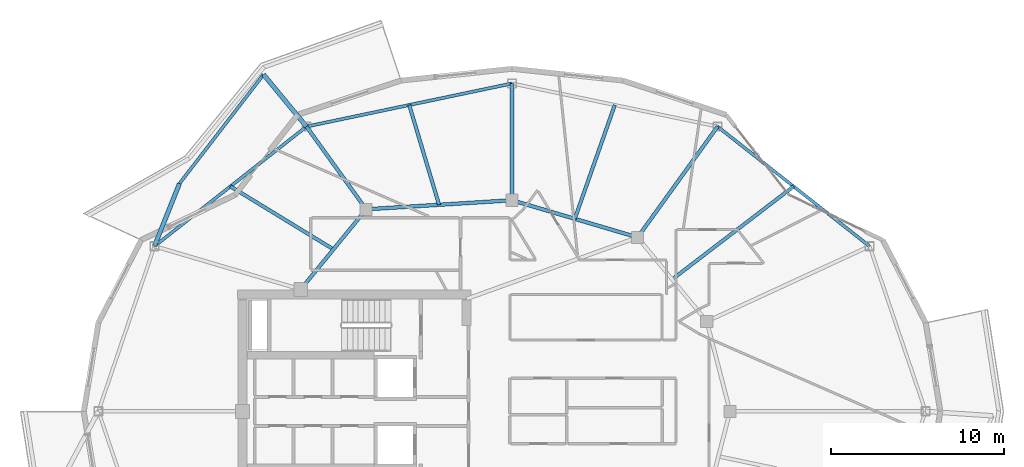
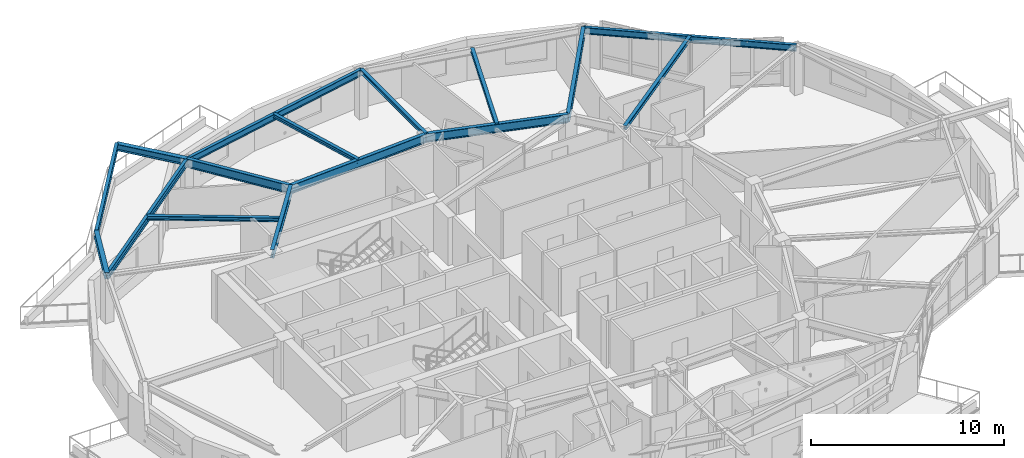
# One storey, part 5 of 21: 16 beams.
"""IFC4 building model written with IfcOpenShell, lengths in metres."""

from ifc_helpers import new_model, si_unit, direction, frame, origin, origin_2d, place, context, subcontext, project, spatial, i_section, extrude, material, material_profile, profile_set, type_object, element, save


model = new_model("IFC4")

# Units and contexts
model_context = context("Model", 3, precision=1e-05, world=origin(), true_north=direction((0.0, 1.0)))
body_context = subcontext(model_context, "Body", "Model", "MODEL_VIEW")
ifc_project = project(units=[si_unit("LENGTHUNIT", "METRE"), si_unit("AREAUNIT", "SQUARE_METRE"), si_unit("VOLUMEUNIT", "CUBIC_METRE"), si_unit("PLANEANGLEUNIT", "RADIAN"), si_unit("MASSUNIT", "GRAM", prefix="KILO")], contexts=[model_context])

# Site, building, storey
site_placement = place(None, origin())
site = spatial("IfcSite", under=ifc_project, at=site_placement, CompositionType="ELEMENT")
building_placement = place(site_placement, origin())
building = spatial("IfcBuilding", under=site, at=building_placement, Name="Kolvaren Gate Tower and Convention Centre", CompositionType="ELEMENT")
storey_placement = place(building_placement, frame((0.0, 0.0, 226.10009765625)))
storey = spatial("IfcBuildingStorey", under=building, at=storey_placement, Name="L60", CompositionType="ELEMENT", Elevation=226.10009765625)

# Beams
ifc_material = material(Name="Structural steel ASTM A992 Grade 345 MPa", Category="steel")
ifc_material_profile_1 = material_profile(ifc_material, i_section(OverallWidth=0.260009765625, OverallDepth=0.419921875, WebThickness=0.013427734375, FlangeThickness=0.0224609375, at=origin_2d()), Name="W410X132")
ifc_profile_set_1 = profile_set([ifc_material_profile_1], Name="Structural steel ASTM A992 Grade 345 MPa")
beam_type_1 = type_object("IfcBeamType", Name="STR-BM-W410X132", PredefinedType="BEAM", material=ifc_profile_set_1)
for number, where, z_axis, x_axis, name in (
    (1, (18.247314453125, 43.4580078125, 2.8203125), (-0.636086782115, 0.771617525474, 0.0), (-0.771617525474, -0.636086782115, 0.0), "Tower L61 Planted Balcony Outrigger Cantilever BC-1A"),
    (2, (9.462646484375, 36.543701171875, 2.8203125), (0.370926499602, 0.92866222702, 0.0), (-0.92866222702, 0.370926499602, 0.0), "Tower L61 Planted Balcony Outrigger Cantilever BC-1B"),
):
    element("IfcBeam", number, at=place(storey_placement, frame(where, z_axis=z_axis, x_axis=x_axis)), inside=storey, type_object=beam_type_1, Name=name, PredefinedType="BEAM", context=body_context, shape_type="SweptSolid", body=[
        extrude(i_section(OverallWidth=0.260009765625, OverallDepth=0.419921875, WebThickness=0.013427734375, FlangeThickness=0.0224609375, at=origin_2d()), origin(), (0.0, 0.0, 1.0), 3.89990234375),
    ])
ifc_material_profile_2 = material_profile(ifc_material, i_section(OverallWidth=0.2119140625, OverallDepth=0.5439453125, WebThickness=0.01318359375, FlangeThickness=0.021240234375, at=origin_2d()), Name="W530X123")
ifc_profile_set_2 = profile_set([ifc_material_profile_2], Name="Structural steel ASTM A992 Grade 345 MPa")
beam_type_2 = type_object("IfcBeamType", Name="STR-BM-W530X123", PredefinedType="BEAM", material=ifc_profile_set_2)
beam_1_placement = place(storey_placement, frame((37.381591796875, 37.054931640625, 2.7578125), z_axis=(-0.958980837827, 0.283470902706, 0.0), x_axis=(-0.283470902706, -0.958980837827, 0.0)))
element("IfcBeam", 3, at=beam_1_placement, inside=storey, type_object=beam_type_2, Name="Tower L60 Primary Ring Girder G-03", PredefinedType="BEAM", context=body_context, shape_type="SweptSolid", body=[
    extrude(i_section(OverallWidth=0.2119140625, OverallDepth=0.5439453125, WebThickness=0.01318359375, FlangeThickness=0.021240234375, at=origin_2d()), origin(), (0.0, 0.0, 1.0), 7.56689453125),
])
beam_2_placement = place(storey_placement, frame((30.125, 39.199951171875, 2.7578125), z_axis=(-0.998078258568, -0.06196603726, 0.0), x_axis=(0.06196603726, -0.998078258568, 0.0)))
element("IfcBeam", 4, at=beam_2_placement, inside=storey, type_object=beam_type_2, Name="Tower L60 Primary Ring Girder G-04", PredefinedType="BEAM", context=body_context, shape_type="SweptSolid", body=[
    extrude(i_section(OverallWidth=0.2119140625, OverallDepth=0.5439453125, WebThickness=0.01318359375, FlangeThickness=0.021240234375, at=origin_2d()), origin(), (0.0, 0.0, 1.0), 8.443115234375),
])
beam_3_placement = place(storey_placement, frame((21.697998046875, 38.6767578125, 2.7578125), z_axis=(-0.633082074904, -0.774084676528, 0.0), x_axis=(0.774084676528, -0.633082074904, 0.0)))
element("IfcBeam", 5, at=beam_3_placement, inside=storey, type_object=beam_type_2, Name="Tower L60 Primary Ring Girder G-05", PredefinedType="BEAM", context=body_context, shape_type="SweptSolid", body=[
    extrude(i_section(OverallWidth=0.2119140625, OverallDepth=0.5439453125, WebThickness=0.01318359375, FlangeThickness=0.021240234375, at=origin_2d()), origin(), (0.0, 0.0, 1.0), 5.97705078125),
])
beam_4_placement = place(storey_placement, frame((37.381591796875, 37.054931640625, 2.7578125), z_axis=(0.585211694794, 0.810880553643, 0.0), x_axis=(-0.810880553643, 0.585211694794, 0.0)))
element("IfcBeam", 6, at=beam_4_placement, inside=storey, type_object=beam_type_2, Name="Tower L60 Radial Floor Girder RB-03", PredefinedType="BEAM", context=body_context, shape_type="SweptSolid", body=[
    extrude(i_section(OverallWidth=0.2119140625, OverallDepth=0.5439453125, WebThickness=0.01318359375, FlangeThickness=0.021240234375, at=origin_2d()), origin(), (0.0, 0.0, 1.0), 7.896484375),
])
beam_5_placement = place(storey_placement, frame((21.697998046875, 38.6767578125, 2.7578125), z_axis=(-0.585218406802, 0.810875709552, 0.0), x_axis=(-0.810875709552, -0.585218406802, 0.0)))
element("IfcBeam", 7, at=beam_5_placement, inside=storey, type_object=beam_type_2, Name="Tower L60 Radial Floor Girder RB-05", PredefinedType="BEAM", context=body_context, shape_type="SweptSolid", body=[
    extrude(i_section(OverallWidth=0.2119140625, OverallDepth=0.5439453125, WebThickness=0.01318359375, FlangeThickness=0.021240234375, at=origin_2d()), origin(), (0.0, 0.0, 1.0), 5.896484375),
])
ifc_material_profile_3 = material_profile(ifc_material, i_section(OverallWidth=0.202880859375, OverallDepth=0.251953125, WebThickness=0.008056640625, FlangeThickness=0.013427734375, at=origin_2d()), Name="W250X58")
ifc_profile_set_3 = profile_set([ifc_material_profile_3], Name="Structural steel ASTM A992 Grade 345 MPa")
beam_type_3 = type_object("IfcBeamType", Name="STR-JS-W250X58", PredefinedType="JOIST", material=ifc_profile_set_3)
beam_6_placement = place(storey_placement, frame((30.125, 39.199951171875, 2.90380859375), z_axis=(0.0, 1.0, 0.0), x_axis=(-1.0, 0.0, 0.0)))
element("IfcBeam", 8, at=beam_6_placement, inside=storey, type_object=beam_type_3, Name="Tower L60 Radial Floor Girder RB-04", PredefinedType="JOIST", context=body_context, shape_type="SweptSolid", body=[
    extrude(i_section(OverallWidth=0.202880859375, OverallDepth=0.251953125, WebThickness=0.008056640625, FlangeThickness=0.013427734375, at=origin_2d()), origin(), (0.0, 0.0, 1.0), 6.75),
])
beam_7_placement = place(storey_placement, frame((39.3818359375, 34.627197265625, 2.90380859375), z_axis=(0.793783340844, 0.608200631205, 0.0), x_axis=(-0.608200631205, 0.793783340844, 0.0)))
element("IfcBeam", 9, at=beam_7_placement, inside=storey, type_object=beam_type_3, Name="Tower L60 Secondary Composite Floor Joist J-02.1", PredefinedType="JOIST", context=body_context, shape_type="SweptSolid", body=[
    extrude(i_section(OverallWidth=0.202880859375, OverallDepth=0.251953125, WebThickness=0.008056640625, FlangeThickness=0.013427734375, at=origin_2d()), origin(), (0.0, 0.0, 1.0), 8.835205078125),
])
beam_8_placement = place(storey_placement, frame((33.75341796875, 38.12744140625, 2.90380859375), z_axis=(0.331432911821, 0.943478788824, 0.0), x_axis=(-0.943478788824, 0.331432911821, 0.0)))
element("IfcBeam", 10, at=beam_8_placement, inside=storey, type_object=beam_type_3, Name="Tower L60 Secondary Composite Floor Joist J-03.1", PredefinedType="JOIST", context=body_context, shape_type="SweptSolid", body=[
    extrude(i_section(OverallWidth=0.202880859375, OverallDepth=0.251953125, WebThickness=0.008056640625, FlangeThickness=0.013427734375, at=origin_2d()), origin(), (0.0, 0.0, 1.0), 6.970703125),
])
beam_9_placement = place(storey_placement, frame((25.91162109375, 38.938232421875, 2.90380859375), z_axis=(-0.286674209033, 0.958028130002, 0.0), x_axis=(-0.958028130002, -0.286674209033, 0.0)))
element("IfcBeam", 11, at=beam_9_placement, inside=storey, type_object=beam_type_3, Name="Tower L60 Secondary Composite Floor Joist J-04.1", PredefinedType="JOIST", context=body_context, shape_type="SweptSolid", body=[
    extrude(i_section(OverallWidth=0.202880859375, OverallDepth=0.251953125, WebThickness=0.008056640625, FlangeThickness=0.013427734375, at=origin_2d()), origin(), (0.0, 0.0, 1.0), 6.0185546875),
])
beam_10_placement = place(storey_placement, frame((19.805908203125, 36.36328125, 2.90380859375), z_axis=(-0.853232509014, 0.52153071392, 0.0), x_axis=(-0.52153071392, -0.853232509014, 0.0)))
element("IfcBeam", 12, at=beam_10_placement, inside=storey, type_object=beam_type_3, Name="Tower L60 Secondary Composite Floor Joist J-05.1", PredefinedType="JOIST", context=body_context, shape_type="SweptSolid", body=[
    extrude(i_section(OverallWidth=0.202880859375, OverallDepth=0.251953125, WebThickness=0.008056640625, FlangeThickness=0.013427734375, at=origin_2d()), origin(), (0.0, 0.0, 1.0), 6.974609375),
])
ifc_material_profile_4 = material_profile(ifc_material, i_section(OverallWidth=0.180908203125, OverallDepth=0.4169921875, WebThickness=0.010986328125, FlangeThickness=0.018310546875, at=origin_2d()), Name="W410X85")
ifc_profile_set_4 = profile_set([ifc_material_profile_4], Name="Structural steel ASTM A992 Grade 345 MPa")
beam_type_4 = type_object("IfcBeamType", Name="STR-SP-W410X85", PredefinedType="SPANDREL", material=ifc_profile_set_4)
beam_11_placement = place(storey_placement, frame((50.787353515625, 36.543701171875, 2.8212890625), z_axis=(-0.78579365551, 0.618488747643, 0.0), x_axis=(-0.618488747643, -0.78579365551, 0.0)))
element("IfcBeam", 13, at=beam_11_placement, inside=storey, type_object=beam_type_4, Name="Tower L60 Perimeter Spandrel Beam SP-02", PredefinedType="SPANDREL", context=body_context, shape_type="SweptSolid", body=[
    extrude(i_section(OverallWidth=0.180908203125, OverallDepth=0.4169921875, WebThickness=0.010986328125, FlangeThickness=0.018310546875, at=origin_2d()), origin(), (0.0, 0.0, 1.0), 11.179443359375),
])
beam_12_placement = place(storey_placement, frame((30.125, 45.949951171875, 2.8212890625), z_axis=(-0.978692765917, -0.205330148645, 0.0), x_axis=(0.205330148645, -0.978692765917, 0.0)))
element("IfcBeam", 14, at=beam_12_placement, inside=storey, type_object=beam_type_4, Name="Tower L60 Perimeter Spandrel Beam SP-04", PredefinedType="SPANDREL", context=body_context, shape_type="SweptSolid", body=[
    extrude(i_section(OverallWidth=0.180908203125, OverallDepth=0.4169921875, WebThickness=0.010986328125, FlangeThickness=0.018310546875, at=origin_2d()), origin(), (0.0, 0.0, 1.0), 12.13623046875),
])
beam_13_placement = place(storey_placement, frame((18.247314453125, 43.4580078125, 2.8212890625), z_axis=(-0.78579365551, -0.618488747643, 0.0), x_axis=(0.618488747643, -0.78579365551, 0.0)))
element("IfcBeam", 15, at=beam_13_placement, inside=storey, type_object=beam_type_4, Name="Tower L60 Perimeter Spandrel Beam SP-05", PredefinedType="SPANDREL", context=body_context, shape_type="SweptSolid", body=[
    extrude(i_section(OverallWidth=0.180908203125, OverallDepth=0.4169921875, WebThickness=0.010986328125, FlangeThickness=0.018310546875, at=origin_2d()), origin(), (0.0, 0.0, 1.0), 11.179443359375),
])
beam_14_placement = place(storey_placement, frame((15.7666015625, 46.46728515625, 2.822021484375), z_axis=(-0.61047858823, -0.792032760252, 0.0), x_axis=(0.792032760252, -0.61047858823, 0.0)))
element("IfcBeam", 16, at=beam_14_placement, inside=storey, type_object=beam_type_4, Name="Tower L61 Planted Balcony Header Tie Beam BT-1", PredefinedType="SPANDREL", context=body_context, shape_type="SweptSolid", body=[
    extrude(i_section(OverallWidth=0.180908203125, OverallDepth=0.4169921875, WebThickness=0.010986328125, FlangeThickness=0.018310546875, at=origin_2d()), origin(), (0.0, 0.0, 1.0), 7.956787109375),
])

save(model, "model.ifc")
